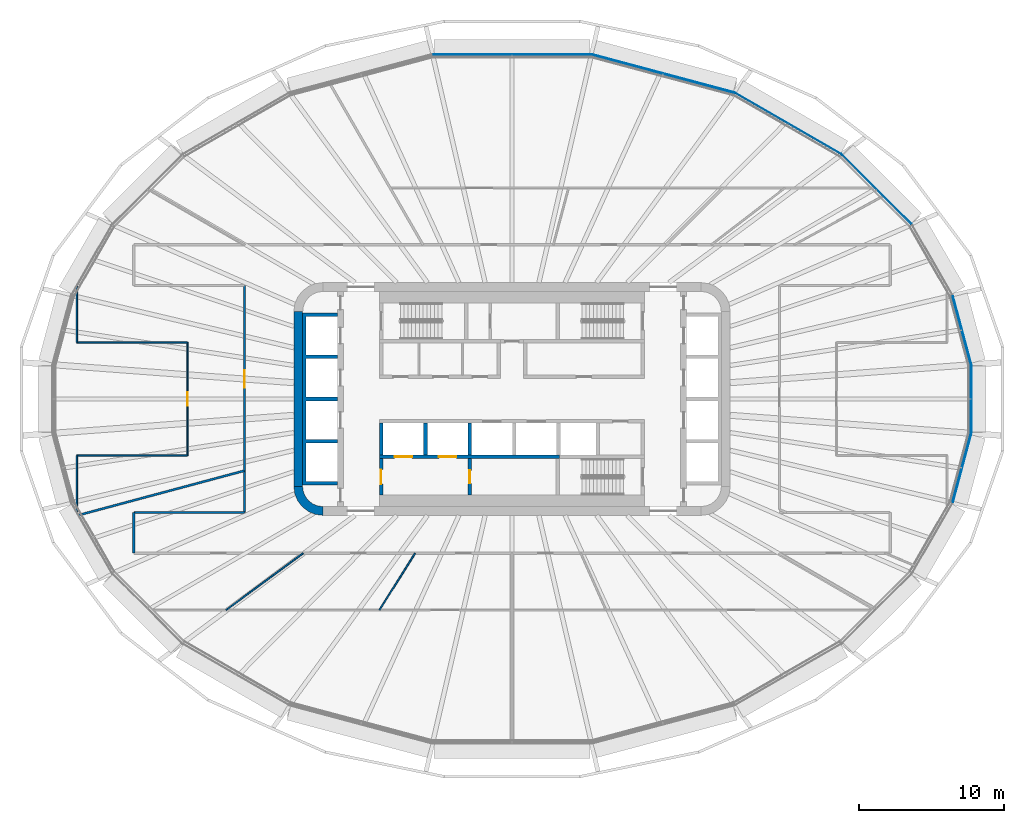
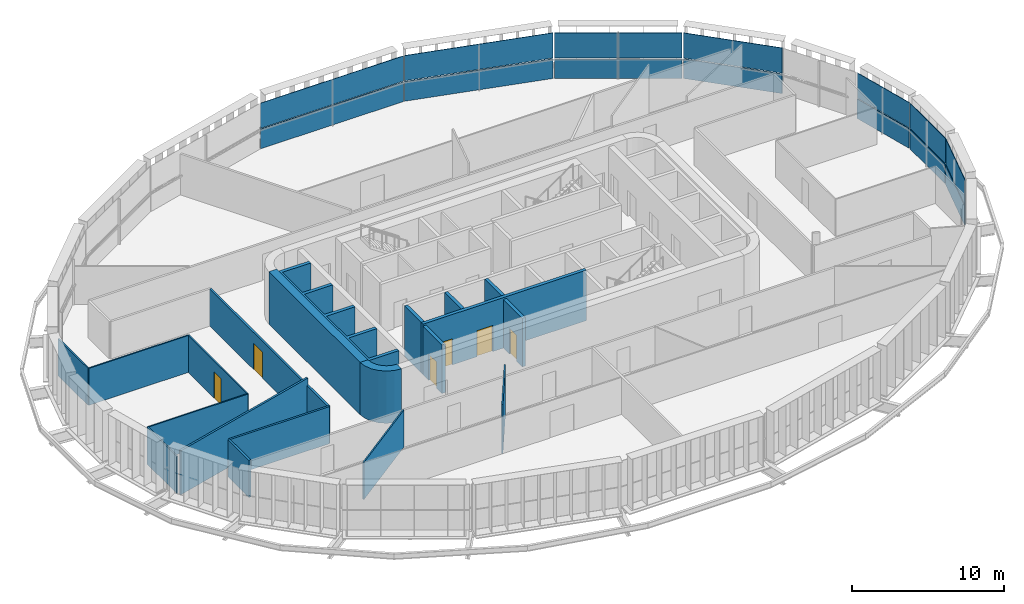
# One storey, part 14 of 25: 20 walls, 14 plates, 6 doors, 6 openings, 7 elements without a shape of their own.
"""IFC4 building model written with IfcOpenShell, lengths in metres."""

from ifc_helpers import new_model, si_unit, direction, frame, frame_2d, origin, place, context, subcontext, project, spatial, polyline, rectangle, outline, extrude, material, layer, layer_set, type_object, element, fill, aggregate, save


model = new_model("IFC4")

# Units and contexts
model_context = context("Model", 3, precision=1e-05, world=origin(), true_north=direction((0.0, 1.0)))
body_context = subcontext(model_context, "Body", "Model", "MODEL_VIEW")
ifc_project = project(units=[si_unit("LENGTHUNIT", "METRE"), si_unit("AREAUNIT", "SQUARE_METRE"), si_unit("VOLUMEUNIT", "CUBIC_METRE"), si_unit("PLANEANGLEUNIT", "RADIAN"), si_unit("MASSUNIT", "GRAM", prefix="KILO")], contexts=[model_context])

# Site, building, storey
site_placement = place(None, origin())
site = spatial("IfcSite", under=ifc_project, at=site_placement, CompositionType="ELEMENT")
building_placement = place(site_placement, origin())
building = spatial("IfcBuilding", under=site, at=building_placement, Name="Sahrelin Media Tower", CompositionType="ELEMENT")
storey_placement = place(building_placement, frame((0.0, 0.0, 139.800048828125)))
storey = spatial("IfcBuildingStorey", under=building, at=storey_placement, Name="L28", CompositionType="ELEMENT", Elevation=139.800048828125)

# Curtain wall, plate
ifc_material_1 = material(Name="Champagne anodised aluminium 6063-T6", Category="aluminium")
ifc_layer_1 = layer(ifc_material_1, 0.14990234375)
ifc_layer_set_1 = layer_set([ifc_layer_1], Name="Tower ribbon curtain wall")
curtain_wall_type = type_object("IfcCurtainWallType", Name="Tower ribbon curtain wall", PredefinedType="NOTDEFINED", material=ifc_layer_set_1)
curtain_wall_1_placement = place(storey_placement, frame((31.57861328125, 0.0, 0.0), z_axis=(0.0, 0.0, 1.0), x_axis=(1.0, 0.0, 0.0)))
curtain_wall_1 = element("IfcCurtainWall", 1, at=curtain_wall_1_placement, inside=storey, type_object=curtain_wall_type, Name="L28:CW:L28-00", PredefinedType="NOTDEFINED")
ifc_material_2 = material(Name="Clear low-iron glazing", Category="glass")
ifc_layer_2 = layer(ifc_material_2, 0.0400390625)
ifc_layer_set_2 = layer_set([ifc_layer_2], Name="Glazing panel 40 mm CW1")
plate_type_1 = type_object("IfcPlateType", Name="Glazing panel 40 mm CW1", PredefinedType="CURTAIN_PANEL", material=ifc_layer_set_2)
plate_1_placement = place(storey_placement, frame((31.5986328125, -2.30859375, 1.6298828125), z_axis=(1.0, 0.0, 0.0), x_axis=(0.0, 1.0, 0.0)))
plate_1 = element("IfcPlate", 2, at=plate_1_placement, type_object=plate_type_1, Name="L28:CWP2:L28-00", PredefinedType="CURTAIN_PANEL", context=body_context, shape_type="SweptSolid", body=[
    extrude(outline(polyline([(0.0, 0.0), (4.6171875, 0.0), (4.6171875, 2.0185546875), (0.0, 2.0185546875), (0.0, 0.0)])), origin(), (0.0, 0.0, -1.0), 0.0400390625),
])

curtain_wall_2_placement = place(storey_placement, frame((30.940185546875, 4.7412109375, 0.0), z_axis=(0.0, 0.0, 1.0), x_axis=(1.0, 0.0, 0.0)))
curtain_wall_2 = element("IfcCurtainWall", 3, at=curtain_wall_2_placement, inside=storey, type_object=curtain_wall_type, Name="L28:CW:L28-01", PredefinedType="NOTDEFINED")
plate_2_placement = place(storey_placement, frame((31.585205078125, 2.412109375, 1.6298828125), z_axis=(0.965913101603, 0.258866529609, 0.0), x_axis=(-0.258866529609, 0.965913101603, 0.0)))
plate_2 = element("IfcPlate", 4, at=plate_2_placement, type_object=plate_type_1, Name="L28:CWP2:L28-01", PredefinedType="CURTAIN_PANEL", context=body_context, shape_type="SweptSolid", body=[
    extrude(outline(polyline([(0.0, 0.0), (4.83349609375, 0.0), (4.83349609375, 2.0185546875), (0.0, 2.0185546875), (0.0, 0.0)])), origin(), (0.0, 0.0, -1.0), 0.0400390625),
])

curtain_wall_3_placement = place(storey_placement, frame((25.08349609375, 14.396728515625, 0.0), z_axis=(0.0, 0.0, 1.0), x_axis=(1.0, 0.0, 0.0)))
curtain_wall_3 = element("IfcCurtainWall", 5, at=curtain_wall_3_placement, inside=storey, type_object=curtain_wall_type, Name="L28:CW:L28-03", PredefinedType="NOTDEFINED")
plate_3_placement = place(storey_placement, frame((27.473876953125, 12.034912109375, 1.6298828125), z_axis=(0.707106781187, 0.707106781187, 0.0), x_axis=(-0.707106781187, 0.707106781187, 0.0)))
plate_3 = element("IfcPlate", 6, at=plate_3_placement, type_object=plate_type_1, Name="L28:CWP2:L28-03", PredefinedType="CURTAIN_PANEL", context=body_context, shape_type="SweptSolid", body=[
    extrude(outline(polyline([(0.0, 0.0), (6.720703125, 0.0), (6.720703125, 2.0185546875), (0.0, 2.0185546875), (0.0, 0.0)])), origin(), (0.0, 0.0, -1.0), 0.0400390625),
])

curtain_wall_4_placement = place(storey_placement, frame((18.990966796875, 18.93359375, 0.0), z_axis=(0.0, 0.0, 1.0), x_axis=(1.0, 0.0, 0.0)))
curtain_wall_4 = element("IfcCurtainWall", 7, at=curtain_wall_4_placement, inside=storey, type_object=curtain_wall_type, Name="L28:CW:L28-04", PredefinedType="NOTDEFINED")
plate_4_placement = place(storey_placement, frame((22.638916015625, 16.8505859375, 1.6298828125), z_axis=(0.499995799698, 0.866027828816, 0.0), x_axis=(-0.866027828816, 0.499995799698, 0.0)))
plate_4 = element("IfcPlate", 8, at=plate_4_placement, type_object=plate_type_1, Name="L28:CWP2:L28-04", PredefinedType="CURTAIN_PANEL", context=body_context, shape_type="SweptSolid", body=[
    extrude(outline(polyline([(0.0, 0.0), (8.4013671875, 0.0), (8.4013671875, 2.0185546875), (0.0, 2.0185546875), (0.0, 0.0)])), origin(), (0.0, 0.0, -1.0), 0.0400390625),
])

curtain_wall_5_placement = place(storey_placement, frame((10.389404296875, 22.377197265625, 0.0), z_axis=(0.0, 0.0, 1.0), x_axis=(1.0, 0.0, 0.0)))
curtain_wall_5 = element("IfcCurtainWall", 9, at=curtain_wall_5_placement, inside=storey, type_object=curtain_wall_type, Name="L28:CW:L28-05", PredefinedType="NOTDEFINED")
plate_5_placement = place(storey_placement, frame((15.2666015625, 21.09130859375, 1.6298828125), z_axis=(0.258816330459, 0.965926553671, 0.0), x_axis=(-0.965926553671, 0.258816330459, 0.0)))
plate_5 = element("IfcPlate", 10, at=plate_5_placement, type_object=plate_type_1, Name="L28:CWP2:L28-05", PredefinedType="CURTAIN_PANEL", context=body_context, shape_type="SweptSolid", body=[
    extrude(outline(polyline([(0.0, 0.0), (10.087646484375, 0.0), (10.087646484375, 2.0185546875), (0.0, 2.0185546875), (0.0, 0.0)])), origin(), (0.0, 0.0, -1.0), 0.0400390625),
])

curtain_wall_6_placement = place(storey_placement, frame((0.0, 23.69580078125, 0.0), z_axis=(0.0, 0.0, 1.0), x_axis=(1.0, 0.0, 0.0)))
curtain_wall_6 = element("IfcCurtainWall", 11, at=curtain_wall_6_placement, inside=storey, type_object=curtain_wall_type, Name="L28:CW:L28-06", PredefinedType="NOTDEFINED")
plate_6_placement = place(storey_placement, frame((5.419189453125, 23.7158203125, 1.6298828125), z_axis=(0.0, 1.0, 0.0), x_axis=(-1.0, 0.0, 0.0)))
plate_6 = element("IfcPlate", 12, at=plate_6_placement, type_object=plate_type_1, Name="L28:CWP2:L28-06", PredefinedType="CURTAIN_PANEL", context=body_context, shape_type="SweptSolid", body=[
    extrude(outline(polyline([(0.0, 0.0), (10.83837890625, 0.0), (10.83837890625, 2.0185546875), (0.0, 2.0185546875), (0.0, 0.0)])), origin(), (0.0, 0.0, -1.0), 0.0400390625),
])

curtain_wall_7_placement = place(storey_placement, frame((30.940185546875, -4.7412109375, 0.0), z_axis=(0.0, 0.0, 1.0), x_axis=(1.0, 0.0, 0.0)))
curtain_wall_7 = element("IfcCurtainWall", 13, at=curtain_wall_7_placement, inside=storey, type_object=curtain_wall_type, Name="L28:CW:L28-23", PredefinedType="NOTDEFINED")
plate_7_placement = place(storey_placement, frame((30.333984375, -7.080810546875, 1.6298828125), z_axis=(0.965913101603, -0.258866529609, 0.0), x_axis=(0.258866529609, 0.965913101603, 0.0)))
plate_7 = element("IfcPlate", 14, at=plate_7_placement, type_object=plate_type_1, Name="L28:CWP2:L28-23", PredefinedType="CURTAIN_PANEL", context=body_context, shape_type="SweptSolid", body=[
    extrude(outline(polyline([(0.0, 0.0), (4.83349609375, 0.0), (4.83349609375, 2.0185546875), (0.0, 2.0185546875), (0.0, 0.0)])), origin(), (0.0, 0.0, -1.0), 0.0400390625),
])

# Plate
ifc_material_3 = material(Name="Insulated spandrel panel")
ifc_layer_3 = layer(ifc_material_3, 0.06005859375)
ifc_layer_set_3 = layer_set([ifc_layer_3], Name="Spandrel panel 60 mm CW1")
plate_type_2 = type_object("IfcPlateType", Name="Spandrel panel 60 mm CW1", PredefinedType="SHEET", material=ifc_layer_set_3)
plate_8_placement = place(storey_placement, frame((31.5986328125, -2.30859375, 0.0), z_axis=(1.0, 0.0, 0.0), x_axis=(0.0, 1.0, 0.0)))
plate_8 = element("IfcPlate", 15, at=plate_8_placement, type_object=plate_type_2, Name="L28:CWP1:L28-00", PredefinedType="SHEET", context=body_context, shape_type="SweptSolid", body=[
    extrude(outline(polyline([(0.0, 0.0), (4.6171875, 0.0), (4.6171875, 1.570068359375), (0.0, 1.570068359375), (0.0, 0.0)])), origin(), (0.0, 0.0, -1.0), 0.06005859375),
])

aggregate(curtain_wall_1, [plate_8, plate_1])

plate_9_placement = place(storey_placement, frame((31.585205078125, 2.412109375, 0.0), z_axis=(0.965913101603, 0.258866529609, 0.0), x_axis=(-0.258866529609, 0.965913101603, 0.0)))
plate_9 = element("IfcPlate", 16, at=plate_9_placement, type_object=plate_type_2, Name="L28:CWP1:L28-01", PredefinedType="SHEET", context=body_context, shape_type="SweptSolid", body=[
    extrude(outline(polyline([(0.0, 0.0), (4.83349609375, 0.0), (4.83349609375, 1.570068359375), (0.0, 1.570068359375), (0.0, 0.0)])), origin(), (0.0, 0.0, -1.0), 0.06005859375),
])

aggregate(curtain_wall_2, [plate_9, plate_2])

plate_10_placement = place(storey_placement, frame((27.473876953125, 12.034912109375, 0.0), z_axis=(0.707106781187, 0.707106781187, 0.0), x_axis=(-0.707106781187, 0.707106781187, 0.0)))
plate_10 = element("IfcPlate", 17, at=plate_10_placement, type_object=plate_type_2, Name="L28:CWP1:L28-03", PredefinedType="SHEET", context=body_context, shape_type="SweptSolid", body=[
    extrude(outline(polyline([(0.0, 0.0), (6.720703125, 0.0), (6.720703125, 1.570068359375), (0.0, 1.570068359375), (0.0, 0.0)])), origin(), (0.0, 0.0, -1.0), 0.06005859375),
])

aggregate(curtain_wall_3, [plate_10, plate_3])

plate_11_placement = place(storey_placement, frame((22.638916015625, 16.8505859375, 0.0), z_axis=(0.499995799698, 0.866027828816, 0.0), x_axis=(-0.866027828816, 0.499995799698, 0.0)))
plate_11 = element("IfcPlate", 18, at=plate_11_placement, type_object=plate_type_2, Name="L28:CWP1:L28-04", PredefinedType="SHEET", context=body_context, shape_type="SweptSolid", body=[
    extrude(outline(polyline([(0.0, 0.0), (8.4013671875, 0.0), (8.4013671875, 1.570068359375), (0.0, 1.570068359375), (0.0, 0.0)])), origin(), (0.0, 0.0, -1.0), 0.06005859375),
])

aggregate(curtain_wall_4, [plate_11, plate_4])

plate_12_placement = place(storey_placement, frame((15.2666015625, 21.09130859375, 0.0), z_axis=(0.258816330459, 0.965926553671, 0.0), x_axis=(-0.965926553671, 0.258816330459, 0.0)))
plate_12 = element("IfcPlate", 19, at=plate_12_placement, type_object=plate_type_2, Name="L28:CWP1:L28-05", PredefinedType="SHEET", context=body_context, shape_type="SweptSolid", body=[
    extrude(outline(polyline([(0.0, 0.0), (10.087646484375, 0.0), (10.087646484375, 1.570068359375), (0.0, 1.570068359375), (0.0, 0.0)])), origin(), (0.0, 0.0, -1.0), 0.06005859375),
])

aggregate(curtain_wall_5, [plate_12, plate_5])

plate_13_placement = place(storey_placement, frame((5.419189453125, 23.7158203125, 0.0), z_axis=(0.0, 1.0, 0.0), x_axis=(-1.0, 0.0, 0.0)))
plate_13 = element("IfcPlate", 20, at=plate_13_placement, type_object=plate_type_2, Name="L28:CWP1:L28-06", PredefinedType="SHEET", context=body_context, shape_type="SweptSolid", body=[
    extrude(outline(polyline([(0.0, 0.0), (10.83837890625, 0.0), (10.83837890625, 1.570068359375), (0.0, 1.570068359375), (0.0, 0.0)])), origin(), (0.0, 0.0, -1.0), 0.06005859375),
])

aggregate(curtain_wall_6, [plate_13, plate_6])

plate_14_placement = place(storey_placement, frame((30.333984375, -7.080810546875, 0.0), z_axis=(0.965913101603, -0.258866529609, 0.0), x_axis=(0.258866529609, 0.965913101603, 0.0)))
plate_14 = element("IfcPlate", 21, at=plate_14_placement, type_object=plate_type_2, Name="L28:CWP1:L28-23", PredefinedType="SHEET", context=body_context, shape_type="SweptSolid", body=[
    extrude(outline(polyline([(0.0, 0.0), (4.83349609375, 0.0), (4.83349609375, 1.570068359375), (0.0, 1.570068359375), (0.0, 0.0)])), origin(), (0.0, 0.0, -1.0), 0.06005859375),
])

aggregate(curtain_wall_7, [plate_14, plate_7])

# Walls
ifc_material_4 = material(Name="Concrete C60/75", Category="concrete")
ifc_layer_4 = layer(ifc_material_4, 0.60009765625)
ifc_layer_set_4 = layer_set([ifc_layer_4], Name="Core wall 600")
wall_type_1 = type_object("IfcWallType", Name="Core wall 600", PredefinedType="SHEAR", material=ifc_layer_set_4)
wall_1_placement = place(storey_placement, frame((-14.699951171875, -6.0, 0.0), z_axis=(0.0, 0.0, 1.0), x_axis=(0.0, 1.0, 0.0)))
element("IfcWall", 22, at=wall_1_placement, inside=storey, type_object=wall_type_1, Name="Core wall W L28", PredefinedType="SHEAR", context=body_context, shape_type="SweptSolid", body=[
    extrude(rectangle(XDim=12.0, YDim=0.60009765625, at=frame_2d((6.0, 0.0))), origin(), (0.0, 0.0, 1.0), 4.199951171875),
])
placement = place(storey_placement, origin())
element("IfcWall", 23, at=placement, inside=storey, type_object=wall_type_1, Name="Core wall corner SW L28", PredefinedType="SHEAR", context=body_context, shape_type="SweptSolid", body=[
    extrude(outline(polyline([(-13.0, -8.0), (-13.0, -7.394775390625), (-13.361083984375, -7.347412109375), (-13.697509765625, -7.2080078125), (-13.986328125, -6.986328125), (-14.2080078125, -6.697509765625), (-14.347412109375, -6.361083984375), (-14.394775390625, -6.0), (-15.0, -6.0), (-14.931884765625, -6.517578125), (-14.732177734375, -7.0), (-14.414306640625, -7.414306640625), (-14.0, -7.732177734375), (-13.517578125, -7.931884765625), (-13.0, -8.0)])), origin(), (0.0, 0.0, 1.0), 4.199951171875),
])
ifc_material_5 = material(Name="Fire-rated gypsum board partition")
ifc_layer_5 = layer(ifc_material_5, 0.14990234375)
ifc_layer_set_5 = layer_set([ifc_layer_5], Name="Fire-rated partition 150")
wall_type_2 = type_object("IfcWallType", Name="Fire-rated partition 150", PredefinedType="PARTITIONING", material=ifc_layer_set_5)
wall_3_placement = place(storey_placement, frame((-26.0, -7.800048828125, 0.0), z_axis=(0.0, 0.0, 1.0), x_axis=(1.0, 0.0, 0.0)))
element("IfcWall", 24, at=wall_3_placement, inside=storey, type_object=wall_type_2, Name="Wall", PredefinedType="PARTITIONING", context=body_context, shape_type="SweptSolid", body=[
    extrude(rectangle(XDim=7.60009765625, YDim=0.14990234375, at=frame_2d((3.800048828125, 0.0))), origin(), (0.0, 0.0, 1.0), 2.97705078125),
])
wall_4_placement = place(storey_placement, frame((-29.803955078125, -7.986083984375, 0.0), z_axis=(0.0, 0.0, 1.0), x_axis=(0.965916389644, 0.258854260572, 0.0)))
element("IfcWall", 25, at=wall_4_placement, inside=storey, type_object=wall_type_2, Name="Wall", PredefinedType="PARTITIONING", context=body_context, shape_type="SweptSolid", body=[
    extrude(rectangle(XDim=11.806396484375, YDim=0.14990234375, at=frame_2d((5.9033203125, 0.0))), origin(), (0.0, 0.0, 1.0), 3.52490234375),
])

# Wall, opening, door
wall_5_placement = place(storey_placement, frame((-18.39990234375, -7.800048828125, 0.0), z_axis=(0.0, 0.0, 1.0), x_axis=(0.0, 1.0, 0.0)))
wall_5 = element("IfcWall", 26, at=wall_5_placement, inside=storey, type_object=wall_type_2, Name="Wall", PredefinedType="PARTITIONING", context=body_context, shape_type="SweptSolid", body=[
    extrude(rectangle(XDim=15.60009765625, YDim=0.14990234375, at=frame_2d((7.800048828125, 0.0))), origin(), (0.0, 0.0, 1.0), 2.96826171875),
])
opening_1_placement = place(wall_5_placement, frame((8.5849609375, 0.0, 0.0)))
opening_1 = element("IfcOpeningElement", 27, at=opening_1_placement, cuts=wall_5, Name="Opening L28-D30", PredefinedType="OPENING", context=body_context, shape_type="SweptSolid", body=[
    extrude(rectangle(XDim=1.199951171875, YDim=2.10009765625, at=frame_2d((0.60009765625, 1.050048828125))), frame((0.0, 0.074951171875, 0.0), z_axis=(0.0, -1.0, 0.0), x_axis=(1.0, 0.0, 0.0)), (0.0, 0.0, 1.0), 0.14990234375),
])
ifc_material_6 = material(Name="Steel fire door leaf", Category="steel")
door_type_1 = type_object("IfcDoorType", Name="Service double door 1200 x 2100 EI 60", OperationType="DOUBLE_DOOR_SINGLE_SWING", PredefinedType="DOOR", material=ifc_material_6)
door_1_placement = place(opening_1_placement, origin())
door_1 = element("IfcDoor", 28, at=door_1_placement, inside=storey, type_object=door_type_1, Name="Service double door", OperationType="DOUBLE_DOOR_SINGLE_SWING", OverallHeight=2.10009765625, OverallWidth=1.199951171875, PredefinedType="DOOR", context=body_context, shape_type="SweptSolid", body=[
    extrude(rectangle(XDim=1.199951171875, YDim=2.10009765625, at=frame_2d((0.60009765625, 1.050048828125))), frame((0.0, 0.02490234375, 0.0), z_axis=(0.0, -1.0, 0.0), x_axis=(1.0, 0.0, 0.0)), (0.0, 0.0, 1.0), 0.050048828125),
])
fill(opening_1, door_1)

# Wall
wall_6_placement = place(storey_placement, frame((-26.0, -10.574951171875, 0.0), z_axis=(0.0, 0.0, 1.0), x_axis=(0.0, 1.0, 0.0)))
element("IfcWall", 29, at=wall_6_placement, inside=storey, type_object=wall_type_2, Name="Wall", PredefinedType="PARTITIONING", context=body_context, shape_type="SweptSolid", body=[
    extrude(rectangle(XDim=2.77490234375, YDim=0.14990234375, at=frame_2d((1.387451171875, 0.0))), origin(), (0.0, 0.0, 1.0), 2.97705078125),
])

# Wall, opening, door
ifc_layer_6 = layer(ifc_material_5, 0.25)
ifc_layer_set_6 = layer_set([ifc_layer_6], Name="Firefighting lobby wall 250")
wall_type_3 = type_object("IfcWallType", Name="Firefighting lobby wall 250", PredefinedType="PARTITIONING", material=ifc_layer_set_6)
wall_7_placement = place(storey_placement, frame((-9.0, -6.60009765625, 0.0), z_axis=(0.0, 0.0, 1.0), x_axis=(0.0, 1.0, 0.0)))
wall_7 = element("IfcWall", 30, at=wall_7_placement, inside=storey, type_object=wall_type_3, Name="Core wall", PredefinedType="PARTITIONING", context=body_context, shape_type="SweptSolid", body=[
    extrude(rectangle(XDim=2.5, YDim=0.25, at=frame_2d((1.25, 0.0))), origin(), (0.0, 0.0, 1.0), 3.89990234375),
])
opening_2_placement = place(wall_7_placement, frame((0.75, 0.0, 0.0)))
opening_2 = element("IfcOpeningElement", 31, at=opening_2_placement, cuts=wall_7, Name="Opening L28-D04", PredefinedType="OPENING", context=body_context, shape_type="SweptSolid", body=[
    extrude(rectangle(XDim=1.0, YDim=2.10009765625, at=frame_2d((0.5, 1.050048828125))), frame((0.0, 0.125, 0.0), z_axis=(0.0, -1.0, 0.0), x_axis=(1.0, 0.0, 0.0)), (0.0, 0.0, 1.0), 0.25),
])
door_type_2 = type_object("IfcDoorType", Name="Firefighting lobby door 1000 x 2100 EI 120", OperationType="NOTDEFINED", PredefinedType="DOOR", material=ifc_material_6)
door_2_placement = place(opening_2_placement, origin())
door_2 = element("IfcDoor", 32, at=door_2_placement, inside=storey, type_object=door_type_2, Name="Firefighting lobby door", OperationType="SINGLE_SWING_LEFT", OverallHeight=2.10009765625, OverallWidth=1.0, PredefinedType="DOOR", context=body_context, shape_type="SweptSolid", body=[
    extrude(rectangle(XDim=1.0, YDim=2.10009765625, at=frame_2d((0.5, 1.050048828125))), frame((0.0, 0.02490234375, 0.0), z_axis=(0.0, -1.0, 0.0), x_axis=(1.0, 0.0, 0.0)), (0.0, 0.0, 1.0), 0.050048828125),
])
fill(opening_2, door_2)

wall_8_placement = place(storey_placement, frame((-2.89990234375, -6.60009765625, 0.0), z_axis=(0.0, 0.0, 1.0), x_axis=(0.0, 1.0, 0.0)))
wall_8 = element("IfcWall", 33, at=wall_8_placement, inside=storey, type_object=wall_type_3, Name="Core wall", PredefinedType="PARTITIONING", context=body_context, shape_type="SweptSolid", body=[
    extrude(rectangle(XDim=2.5, YDim=0.25, at=frame_2d((1.25, 0.0))), origin(), (0.0, 0.0, 1.0), 3.89990234375),
])
opening_3_placement = place(wall_8_placement, frame((0.800048828125, 0.0, 0.0)))
opening_3 = element("IfcOpeningElement", 34, at=opening_3_placement, cuts=wall_8, Name="Opening L28-D05", PredefinedType="OPENING", context=body_context, shape_type="SweptSolid", body=[
    extrude(rectangle(XDim=0.89990234375, YDim=2.10009765625, at=frame_2d((0.449951171875, 1.050048828125))), frame((0.0, 0.125, 0.0), z_axis=(0.0, -1.0, 0.0), x_axis=(1.0, 0.0, 0.0)), (0.0, 0.0, 1.0), 0.25),
])
door_type_3 = type_object("IfcDoorType", Name="Firefighting lobby door 900 x 2100 EI 120", OperationType="NOTDEFINED", PredefinedType="DOOR", material=ifc_material_6)
door_3_placement = place(opening_3_placement, origin())
door_3 = element("IfcDoor", 35, at=door_3_placement, inside=storey, type_object=door_type_3, Name="Riser door", OperationType="SINGLE_SWING_RIGHT", OverallHeight=2.10009765625, OverallWidth=0.89990234375, PredefinedType="DOOR", context=body_context, shape_type="SweptSolid", body=[
    extrude(rectangle(XDim=0.89990234375, YDim=2.10009765625, at=frame_2d((0.449951171875, 1.050048828125))), frame((0.0, 0.02490234375, 0.0), z_axis=(0.0, -1.0, 0.0), x_axis=(1.0, 0.0, 0.0)), (0.0, 0.0, 1.0), 0.050048828125),
])
fill(opening_3, door_3)

# Wall, openings, doors
ifc_layer_7 = layer(ifc_material_4, 0.25)
ifc_layer_set_7 = layer_set([ifc_layer_7], Name="Lift shaft wall 250")
wall_type_4 = type_object("IfcWallType", Name="Lift shaft wall 250", PredefinedType="SOLIDWALL", material=ifc_layer_set_7)
wall_9_placement = place(storey_placement, frame((-9.125, -3.97509765625, 0.0), z_axis=(0.0, 0.0, 1.0), x_axis=(1.0, 0.0, 0.0)))
wall_9 = element("IfcWall", 36, at=wall_9_placement, inside=storey, type_object=wall_type_4, Name="Lift shaft wall", PredefinedType="SOLIDWALL", context=body_context, shape_type="SweptSolid", body=[
    extrude(rectangle(XDim=12.39990234375, YDim=0.25, at=frame_2d((6.199951171875, 0.0))), origin(), (0.0, 0.0, 1.0), 4.050048828125),
])
opening_4_placement = place(wall_9_placement, frame((1.050048828125, 0.0, 0.0)))
opening_4 = element("IfcOpeningElement", 37, at=opening_4_placement, cuts=wall_9, Name="Opening L28-LD-FF1", PredefinedType="OPENING", context=body_context, shape_type="SweptSolid", body=[
    extrude(rectangle(XDim=1.199951171875, YDim=2.10009765625, at=frame_2d((0.60009765625, 1.050048828125))), frame((0.0, 0.125, 0.0), z_axis=(0.0, -1.0, 0.0), x_axis=(1.0, 0.0, 0.0)), (0.0, 0.0, 1.0), 0.25),
])
opening_5_placement = place(wall_9_placement, frame((4.10009765625, 0.0, 0.0)))
opening_5 = element("IfcOpeningElement", 38, at=opening_5_placement, cuts=wall_9, Name="Opening L28-LD-FF2", PredefinedType="OPENING", context=body_context, shape_type="SweptSolid", body=[
    extrude(rectangle(XDim=1.199951171875, YDim=2.10009765625, at=frame_2d((0.60009765625, 1.050048828125))), frame((0.0, 0.125, 0.0), z_axis=(0.0, -1.0, 0.0), x_axis=(1.0, 0.0, 0.0)), (0.0, 0.0, 1.0), 0.25),
])
ifc_material_7 = material(Name="Stainless steel", Category="steel")
door_type_4 = type_object("IfcDoorType", Name="Lift landing door 1200 x 2100 EI 120", OperationType="DOUBLE_DOOR_SLIDING", PredefinedType="DOOR", material=ifc_material_7)
door_4_placement = place(opening_4_placement, origin())
door_4 = element("IfcDoor", 39, at=door_4_placement, inside=storey, type_object=door_type_4, Name="Lift landing door FF1", OperationType="DOUBLE_DOOR_SLIDING", OverallHeight=2.10009765625, OverallWidth=1.199951171875, PredefinedType="DOOR", context=body_context, shape_type="SweptSolid", body=[
    extrude(rectangle(XDim=1.199951171875, YDim=2.10009765625, at=frame_2d((0.60009765625, 1.050048828125))), frame((0.0, 0.02490234375, 0.0), z_axis=(0.0, -1.0, 0.0), x_axis=(1.0, 0.0, 0.0)), (0.0, 0.0, 1.0), 0.050048828125),
])
fill(opening_4, door_4)
door_5_placement = place(opening_5_placement, origin())
door_5 = element("IfcDoor", 40, at=door_5_placement, inside=storey, type_object=door_type_4, Name="Lift landing door FF2", OperationType="DOUBLE_DOOR_SLIDING", OverallHeight=2.10009765625, OverallWidth=1.199951171875, PredefinedType="DOOR", context=body_context, shape_type="SweptSolid", body=[
    extrude(rectangle(XDim=1.199951171875, YDim=2.10009765625, at=frame_2d((0.60009765625, 1.050048828125))), frame((0.0, 0.02490234375, 0.0), z_axis=(0.0, -1.0, 0.0), x_axis=(1.0, 0.0, 0.0)), (0.0, 0.0, 1.0), 0.050048828125),
])
fill(opening_5, door_5)

# Walls
for number, where, z_axis, x_axis, name in (
    (41, (-9.0, -3.85009765625, 0.0), (0.0, 0.0, 1.0), (0.0, 1.0, 0.0), "Lift shaft wall"),
    (42, (-5.949951171875, -3.85009765625, 0.0), (0.0, 0.0, 1.0), (0.0, 1.0, 0.0), "Lift shaft wall"),
    (43, (-2.89990234375, -3.85009765625, 0.0), (0.0, 0.0, 1.0), (0.0, 1.0, 0.0), "Lift shaft wall"),
):
    element("IfcWall", number, at=place(storey_placement, frame(where, z_axis=z_axis, x_axis=x_axis)), inside=storey, type_object=wall_type_4, Name=name, PredefinedType="SOLIDWALL", context=body_context, shape_type="SweptSolid", body=[
        extrude(rectangle(XDim=2.2001953125, YDim=0.25, at=frame_2d((1.10009765625, 0.0))), origin(), (0.0, 0.0, 1.0), 4.050048828125),
    ])
element("IfcWall", 44, at=placement, inside=storey, type_object=wall_type_4, Name="Lift shaft wall", PredefinedType="SOLIDWALL", context=body_context, shape_type="SweptSolid", body=[
    extrude(outline(polyline([(-12.0, -5.925048828125), (-12.0, -5.675048828125), (-14.14990234375, -5.675048828125), (-14.14990234375, -3.02490234375), (-12.0, -3.02490234375), (-12.0, -2.77490234375), (-14.14990234375, -2.77490234375), (-14.14990234375, -0.125), (-12.0, -0.125), (-12.0, 0.125), (-14.14990234375, 0.125), (-14.14990234375, 2.77490234375), (-12.0, 2.77490234375), (-12.0, 3.02490234375), (-14.14990234375, 3.02490234375), (-14.14990234375, 5.675048828125), (-12.0, 5.675048828125), (-12.0, 5.925048828125), (-14.14990234375, 5.925048828125), (-14.39990234375, 5.925048828125), (-14.39990234375, 5.675048828125), (-14.39990234375, 3.02490234375), (-14.39990234375, 2.77490234375), (-14.39990234375, 0.125), (-14.39990234375, -0.125), (-14.39990234375, -2.77490234375), (-14.39990234375, -3.02490234375), (-14.39990234375, -5.675048828125), (-14.39990234375, -5.925048828125), (-14.14990234375, -5.925048828125), (-12.0, -5.925048828125)])), origin(), (0.0, 0.0, 1.0), 4.050048828125),
])
ifc_material_8 = material(Name="Gypsum board partition")
ifc_layer_8 = layer(ifc_material_8, 0.10009765625)
ifc_layer_set_8 = layer_set([ifc_layer_8], Name="Partition 100")
wall_type_5 = type_object("IfcWallType", Name="Partition 100", PredefinedType="PARTITIONING", material=ifc_layer_set_8)
for number, where, z_axis, x_axis, name in (
    (45, (-29.909912109375, -3.889892578125, 0.0), (0.0, 0.0, 1.0), (1.0, 0.0, 0.0), "Wall"),
    (46, (-29.909912109375, 3.889892578125, 0.0), (0.0, 0.0, 1.0), (1.0, 0.0, 0.0), "Wall"),
):
    element("IfcWall", number, at=place(storey_placement, frame(where, z_axis=z_axis, x_axis=x_axis)), inside=storey, type_object=wall_type_5, Name=name, PredefinedType="PARTITIONING", context=body_context, shape_type="SweptSolid", body=[
        extrude(rectangle(XDim=7.599853515625, YDim=0.10009765625, at=frame_2d((3.7998046875, 0.0))), origin(), (0.0, 0.0, 1.0), 2.96826171875),
    ])
wall_11_placement = place(storey_placement, frame((-19.660888671875, -14.510009765625, 0.0), z_axis=(0.0, 0.0, 1.0), x_axis=(0.804603605329, 0.593812292136, 0.0)))
element("IfcWall", 47, at=wall_11_placement, inside=storey, type_object=wall_type_5, Name="Wall", PredefinedType="PARTITIONING", context=body_context, shape_type="SweptSolid", body=[
    extrude(rectangle(XDim=6.58447265625, YDim=0.10009765625, at=frame_2d((3.292236328125, 0.0))), origin(), (0.0, 0.0, 1.0), 2.97705078125),
])
wall_12_placement = place(storey_placement, frame((-9.116943359375, -14.510009765625, 0.0), z_axis=(0.0, 0.0, 1.0), x_axis=(0.531922462086, 0.846793064643, 0.0)))
element("IfcWall", 48, at=wall_12_placement, inside=storey, type_object=wall_type_5, Name="Wall", PredefinedType="PARTITIONING", context=body_context, shape_type="SweptSolid", body=[
    extrude(rectangle(XDim=4.617431640625, YDim=0.10009765625, at=frame_2d((2.30859375, 0.0))), origin(), (0.0, 0.0, 1.0), 3.89990234375),
])

# Wall, opening, door
wall_13_placement = place(storey_placement, frame((-22.31005859375, -3.889892578125, 0.0), z_axis=(0.0, 0.0, 1.0), x_axis=(0.0, 1.0, 0.0)))
wall_13 = element("IfcWall", 49, at=wall_13_placement, inside=storey, type_object=wall_type_5, Name="Wall", PredefinedType="PARTITIONING", context=body_context, shape_type="SweptSolid", body=[
    extrude(rectangle(XDim=7.77978515625, YDim=0.10009765625, at=frame_2d((3.889892578125, 0.0))), origin(), (0.0, 0.0, 1.0), 2.96826171875),
])
opening_6_placement = place(wall_13_placement, frame((3.43994140625, 0.0, 0.0)))
opening_6 = element("IfcOpeningElement", 50, at=opening_6_placement, cuts=wall_13, Name="Opening L28-D31", PredefinedType="OPENING", context=body_context, shape_type="SweptSolid", body=[
    extrude(rectangle(XDim=0.89990234375, YDim=2.10009765625, at=frame_2d((0.449951171875, 1.050048828125))), frame((0.0, 0.050048828125, 0.0), z_axis=(0.0, -1.0, 0.0), x_axis=(1.0, 0.0, 0.0)), (0.0, 0.0, 1.0), 0.10009765625),
])
ifc_material_9 = material(Name="Timber door leaf", Category="wood")
door_type_5 = type_object("IfcDoorType", Name="Single door 900 x 2100", OperationType="NOTDEFINED", PredefinedType="DOOR", material=ifc_material_9)
door_6_placement = place(opening_6_placement, origin())
door_6 = element("IfcDoor", 51, at=door_6_placement, inside=storey, type_object=door_type_5, Name="Single door", OperationType="SINGLE_SWING_LEFT", OverallHeight=2.10009765625, OverallWidth=0.89990234375, PredefinedType="DOOR", context=body_context, shape_type="SweptSolid", body=[
    extrude(rectangle(XDim=0.89990234375, YDim=2.10009765625, at=frame_2d((0.449951171875, 1.050048828125))), frame((0.0, 0.02490234375, 0.0), z_axis=(0.0, -1.0, 0.0), x_axis=(1.0, 0.0, 0.0)), (0.0, 0.0, 1.0), 0.050048828125),
])
fill(opening_6, door_6)

# Walls
for number, where, z_axis, x_axis, name in (
    (52, (-29.909912109375, -7.802978515625, 0.0), (0.0, 0.0, 1.0), (0.0, 1.0, 0.0), "Wall"),
    (53, (-29.909912109375, 3.889892578125, 0.0), (0.0, 0.0, 1.0), (0.0, 1.0, 0.0), "Wall"),
):
    element("IfcWall", number, at=place(storey_placement, frame(where, z_axis=z_axis, x_axis=x_axis)), inside=storey, type_object=wall_type_5, Name=name, PredefinedType="PARTITIONING", context=body_context, shape_type="SweptSolid", body=[
        extrude(rectangle(XDim=3.9130859375, YDim=0.10009765625, at=frame_2d((1.95654296875, 0.0))), origin(), (0.0, 0.0, 1.0), 2.96826171875),
    ])

save(model, "model.ifc")
